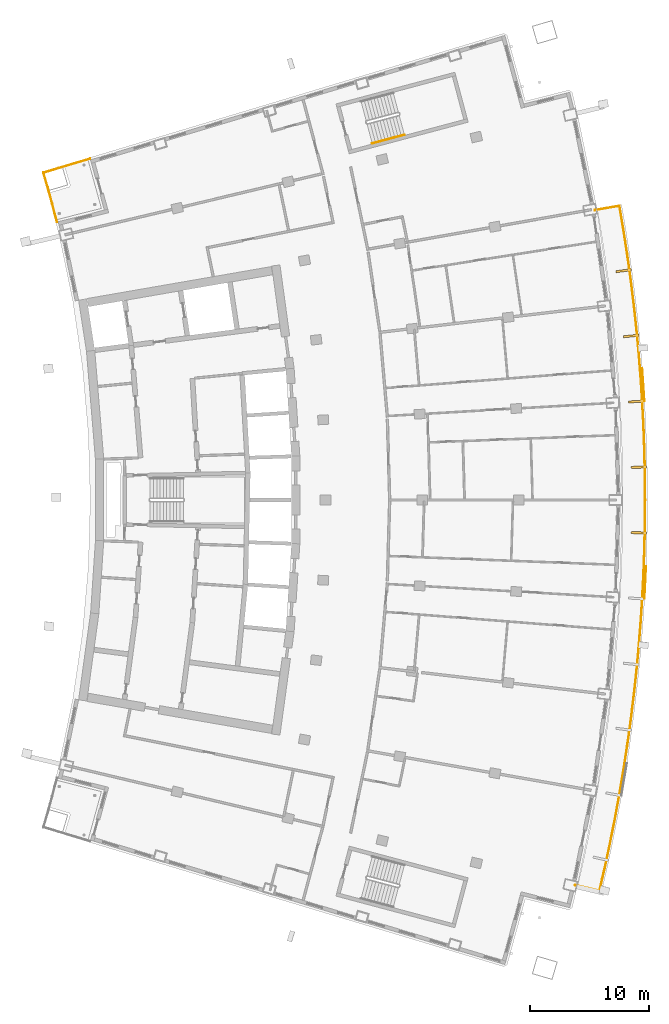
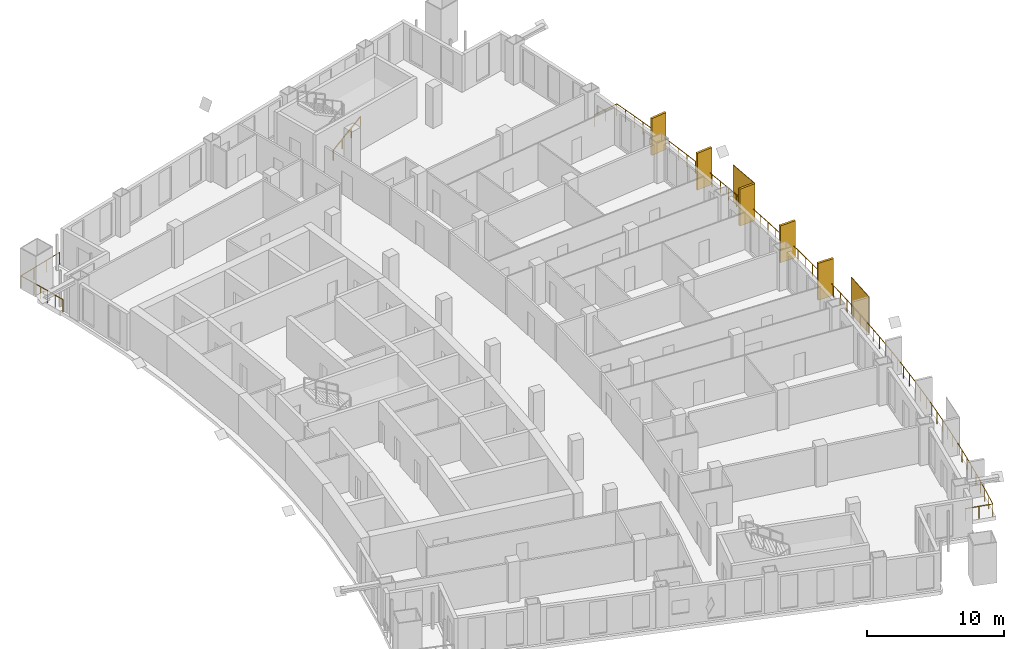
# One storey, part 20 of 21: 7 shading devices, 3 railings.
"""IFC4 building model written with IfcOpenShell, lengths in metres."""

from ifc_helpers import new_model, si_unit, direction, frame, origin, origin_2d, place, context, subcontext, project, spatial, rectangle, extrude, material, layer, layer_set, type_object, element, save


model = new_model("IFC4")

# Units and contexts
model_context = context("Model", 3, precision=1e-05, world=origin(), true_north=direction((0.0, 1.0)))
body_context = subcontext(model_context, "Body", "Model", "MODEL_VIEW")
ifc_project = project(units=[si_unit("LENGTHUNIT", "METRE"), si_unit("AREAUNIT", "SQUARE_METRE"), si_unit("VOLUMEUNIT", "CUBIC_METRE"), si_unit("PLANEANGLEUNIT", "RADIAN"), si_unit("MASSUNIT", "GRAM", prefix="KILO")], contexts=[model_context])

# Site, building, storey
site_placement = place(None, origin())
site = spatial("IfcSite", under=ifc_project, at=site_placement, CompositionType="ELEMENT")
building_placement = place(site_placement, origin())
building = spatial("IfcBuilding", under=site, at=building_placement, Name="Alderwake Tower", CompositionType="ELEMENT")
storey_placement = place(building_placement, frame((0.0, 0.0, 146.0)))
storey = spatial("IfcBuildingStorey", under=building, at=storey_placement, Name="L35", CompositionType="ELEMENT", Elevation=146.0)

# Railings
ifc_material_1 = material(Name="Stainless steel 316 rail and posts", Category="steel")
railing_type_1 = type_object("IfcRailingType", Name="Balcony guard 1100", PredefinedType="GUARDRAIL", material=ifc_material_1)
railing_1_placement = place(storey_placement, frame((56.8125, 28.586181640625, 0.0)))
element("IfcRailing", 1, at=railing_1_placement, inside=storey, type_object=railing_type_1, Name="Guard BF03", PredefinedType="GUARDRAIL", context=body_context, shape_type="SweptSolid", body=[
    extrude(rectangle(XDim=0.048095703125, YDim=0.048095703125, at=origin_2d()), frame((0.0, 0.0, 1.076171875), z_axis=(0.973043917075, -0.230619893857, 0.0), x_axis=(0.230619893857, 0.973043917075, 0.0)), (0.0, 0.0, 1.0), 2.100341796875),
    extrude(rectangle(XDim=0.048095703125, YDim=0.048095703125, at=origin_2d()), frame((2.043701171875, -0.484375, 1.076171875), z_axis=(0.223671299969, 0.97466463441, 0.0), x_axis=(-0.97466463441, 0.223671299969, 0.0)), (0.0, 0.0, 1.0), 1.981201171875),
    extrude(rectangle(XDim=0.048095703125, YDim=0.048095703125, at=origin_2d()), frame((2.48681640625, 1.446533203125, 1.076171875), z_axis=(0.209881600891, 0.977726809292, 0.0), x_axis=(-0.977726809292, 0.209881600891, 0.0)), (0.0, 0.0, 1.0), 2.0810546875),
    extrude(rectangle(XDim=0.048095703125, YDim=0.048095703125, at=origin_2d()), frame((2.923583984375, 3.481201171875, 1.076171875), z_axis=(0.195687452224, 0.98066631483, 0.0), x_axis=(-0.98066631483, 0.195687452224, 0.0)), (0.0, 0.0, 1.0), 2.0810546875),
    extrude(rectangle(XDim=0.048095703125, YDim=0.048095703125, at=origin_2d()), frame((3.330810546875, 5.52197265625, 1.076171875), z_axis=(0.18124901902, 0.983437233942, 0.0), x_axis=(-0.983437233942, 0.18124901902, 0.0)), (0.0, 0.0, 1.0), 2.0810546875),
    extrude(rectangle(XDim=0.048095703125, YDim=0.048095703125, at=origin_2d()), frame((3.7080078125, 7.568603515625, 1.076171875), z_axis=(0.166947791992, 0.985965737107, 0.0), x_axis=(-0.985965737107, 0.166947791992, 0.0)), (0.0, 0.0, 1.0), 2.0810546875),
    extrude(rectangle(XDim=0.048095703125, YDim=0.048095703125, at=origin_2d()), frame((4.055419921875, 9.620361328125, 1.076171875), z_axis=(0.15251559628, 0.988301063893, 0.0), x_axis=(-0.988301063893, 0.15251559628, 0.0)), (0.0, 0.0, 1.0), 2.0810546875),
    extrude(rectangle(XDim=0.048095703125, YDim=0.048095703125, at=origin_2d()), frame((4.372802734375, 11.677001953125, 1.076171875), z_axis=(0.13807026034, 0.990422436746, 0.0), x_axis=(-0.990422436746, 0.13807026034, 0.0)), (0.0, 0.0, 1.0), 2.081298828125),
    extrude(rectangle(XDim=0.048095703125, YDim=0.048095703125, at=origin_2d()), frame((4.66015625, 13.73828125, 1.076171875), z_axis=(0.123659289538, 0.992324735211, 0.0), x_axis=(-0.992324735211, 0.123659289538, 0.0)), (0.0, 0.0, 1.0), 2.080810546875),
    extrude(rectangle(XDim=0.048095703125, YDim=0.048095703125, at=origin_2d()), frame((4.91748046875, 15.80322265625, 1.076171875), z_axis=(0.109105169011, 0.994030211862, 0.0), x_axis=(-0.994030211862, 0.109105169011, 0.0)), (0.0, 0.0, 1.0), 2.0810546875),
    extrude(rectangle(XDim=0.048095703125, YDim=0.048095703125, at=origin_2d()), frame((5.14453125, 17.871826171875, 1.076171875), z_axis=(0.094670690051, 0.995508644084, 0.0), x_axis=(-0.995508644084, 0.094670690051, 0.0)), (0.0, 0.0, 1.0), 2.0810546875),
    extrude(rectangle(XDim=0.048095703125, YDim=0.048095703125, at=origin_2d()), frame((5.341552734375, 19.943603515625, 1.076171875), z_axis=(0.080132254725, 0.996784240321, 0.0), x_axis=(-0.996784240321, 0.080132254725, 0.0)), (0.0, 0.0, 1.0), 2.080810546875),
    extrude(rectangle(XDim=0.048095703125, YDim=0.048095703125, at=origin_2d()), frame((5.50830078125, 22.017822265625, 1.076171875), z_axis=(0.065576859199, 0.997847521186, 0.0), x_axis=(-0.997847521186, 0.065576859199, 0.0)), (0.0, 0.0, 1.0), 2.0810546875),
    extrude(rectangle(XDim=0.048095703125, YDim=0.048095703125, at=origin_2d()), frame((5.644775390625, 24.094482421875, 1.076171875), z_axis=(0.051037720387, 0.998696726288, 0.0), x_axis=(-0.998696726288, 0.051037720387, 0.0)), (0.0, 0.0, 1.0), 2.080810546875),
    extrude(rectangle(XDim=0.048095703125, YDim=0.048095703125, at=origin_2d()), frame((5.7509765625, 26.172607421875, 1.076171875), z_axis=(0.036486606972, 0.999334142072, 0.0), x_axis=(-0.999334142072, 0.036486606972, 0.0)), (0.0, 0.0, 1.0), 2.0810546875),
    extrude(rectangle(XDim=0.048095703125, YDim=0.048095703125, at=origin_2d()), frame((5.826904296875, 28.252197265625, 1.076171875), z_axis=(0.021820665756, 0.999761900927, 0.0), x_axis=(-0.999761900927, 0.021820665756, 0.0)), (0.0, 0.0, 1.0), 2.0810546875),
    extrude(rectangle(XDim=0.048095703125, YDim=0.048095703125, at=origin_2d()), frame((5.872314453125, 30.332763671875, 1.076171875), z_axis=(0.007273388082, 0.999973548563, 0.0), x_axis=(-0.999973548563, 0.007273388082, 0.0)), (0.0, 0.0, 1.0), 2.0810546875),
    extrude(rectangle(XDim=0.048095703125, YDim=0.048095703125, at=origin_2d()), frame((5.887451171875, 32.413818359375, 1.076171875), z_axis=(-0.007273388082, 0.999973548563, 0.0), x_axis=(-0.999973548563, -0.007273388082, 0.0)), (0.0, 0.0, 1.0), 2.0810546875),
    extrude(rectangle(XDim=0.048095703125, YDim=0.048095703125, at=origin_2d()), frame((5.872314453125, 34.494873046875, 1.076171875), z_axis=(-0.021820665756, 0.999761900927, 0.0), x_axis=(-0.999761900927, -0.021820665756, 0.0)), (0.0, 0.0, 1.0), 2.0810546875),
    extrude(rectangle(XDim=0.048095703125, YDim=0.048095703125, at=origin_2d()), frame((5.826904296875, 36.575439453125, 1.076171875), z_axis=(-0.036486606972, 0.999334142072, 0.0), x_axis=(-0.999334142072, -0.036486606972, 0.0)), (0.0, 0.0, 1.0), 2.0810546875),
    extrude(rectangle(XDim=0.048095703125, YDim=0.048095703125, at=origin_2d()), frame((5.7509765625, 38.655029296875, 1.076171875), z_axis=(-0.051037720387, 0.998696726288, 0.0), x_axis=(-0.998696726288, -0.051037720387, 0.0)), (0.0, 0.0, 1.0), 2.080810546875),
    extrude(rectangle(XDim=0.048095703125, YDim=0.048095703125, at=origin_2d()), frame((5.644775390625, 40.733154296875, 1.076171875), z_axis=(-0.065576859199, 0.997847521186, 0.0), x_axis=(-0.997847521186, -0.065576859199, 0.0)), (0.0, 0.0, 1.0), 2.0810546875),
    extrude(rectangle(XDim=0.048095703125, YDim=0.048095703125, at=origin_2d()), frame((5.50830078125, 42.809814453125, 1.076171875), z_axis=(-0.080132254725, 0.996784240321, 0.0), x_axis=(-0.996784240321, -0.080132254725, 0.0)), (0.0, 0.0, 1.0), 2.080810546875),
    extrude(rectangle(XDim=0.048095703125, YDim=0.048095703125, at=origin_2d()), frame((5.341552734375, 44.884033203125, 1.076171875), z_axis=(-0.094670690051, 0.995508644084, 0.0), x_axis=(-0.995508644084, -0.094670690051, 0.0)), (0.0, 0.0, 1.0), 2.0810546875),
    extrude(rectangle(XDim=0.048095703125, YDim=0.048095703125, at=origin_2d()), frame((5.14453125, 46.955810546875, 1.076171875), z_axis=(-0.109105169011, 0.994030211862, 0.0), x_axis=(-0.994030211862, -0.109105169011, 0.0)), (0.0, 0.0, 1.0), 2.0810546875),
    extrude(rectangle(XDim=0.048095703125, YDim=0.048095703125, at=origin_2d()), frame((4.91748046875, 49.0244140625, 1.076171875), z_axis=(-0.123659289538, 0.992324735211, 0.0), x_axis=(-0.992324735211, -0.123659289538, 0.0)), (0.0, 0.0, 1.0), 2.080810546875),
    extrude(rectangle(XDim=0.048095703125, YDim=0.048095703125, at=origin_2d()), frame((4.66015625, 51.08935546875, 1.076171875), z_axis=(-0.13807026034, 0.990422436746, 0.0), x_axis=(-0.990422436746, -0.13807026034, 0.0)), (0.0, 0.0, 1.0), 2.081298828125),
    extrude(rectangle(XDim=0.048095703125, YDim=0.048095703125, at=origin_2d()), frame((4.372802734375, 53.150634765625, 1.076171875), z_axis=(-0.15251559628, 0.988301063893, 0.0), x_axis=(-0.988301063893, -0.15251559628, 0.0)), (0.0, 0.0, 1.0), 2.0810546875),
    extrude(rectangle(XDim=0.048095703125, YDim=0.048095703125, at=origin_2d()), frame((4.055419921875, 55.207275390625, 1.076171875), z_axis=(-0.166616843168, 0.986021717597, 0.0), x_axis=(-0.986021717597, -0.166616843168, 0.0)), (0.0, 0.0, 1.0), 1.98095703125),
    extrude(rectangle(XDim=0.048095703125, YDim=0.048095703125, at=origin_2d()), frame((3.725341796875, 57.16064453125, 1.076171875), z_axis=(-0.984840855066, -0.173460341844, 0.0), x_axis=(0.173460341844, -0.984840855066, 0.0)), (0.0, 0.0, 1.0), 2.099853515625),
    extrude(rectangle(XDim=0.0419921875, YDim=0.0419921875, at=origin_2d()), frame((0.0, 0.0, 0.0), z_axis=(0.0, 0.0, 1.0), x_axis=(0.973043917075, -0.230619893857, 0.0)), (0.0, 0.0, 1.0), 1.052001953125),
    extrude(rectangle(XDim=0.0419921875, YDim=0.0419921875, at=origin_2d()), frame((1.02197265625, -0.2421875, 0.0), z_axis=(0.0, 0.0, 1.0), x_axis=(0.973043917075, -0.230619893857, 0.0)), (0.0, 0.0, 1.0), 1.052001953125),
    extrude(rectangle(XDim=0.0419921875, YDim=0.0419921875, at=origin_2d()), frame((2.043701171875, -0.484375, 0.0), z_axis=(0.0, 0.0, 1.0), x_axis=(0.223671299969, 0.97466463441, 0.0)), (0.0, 0.0, 1.0), 1.052001953125),
    extrude(rectangle(XDim=0.0419921875, YDim=0.0419921875, at=origin_2d()), frame((2.26513671875, 0.48095703125, 0.0), z_axis=(0.0, 0.0, 1.0), x_axis=(0.223671299969, 0.97466463441, 0.0)), (0.0, 0.0, 1.0), 1.052001953125),
    extrude(rectangle(XDim=0.0419921875, YDim=0.0419921875, at=origin_2d()), frame((2.48681640625, 1.446533203125, 0.0), z_axis=(0.0, 0.0, 1.0), x_axis=(0.209881600891, 0.977726809292, 0.0)), (0.0, 0.0, 1.0), 1.052001953125),
    extrude(rectangle(XDim=0.0419921875, YDim=0.0419921875, at=origin_2d()), frame((2.705078125, 2.4638671875, 0.0), z_axis=(0.0, 0.0, 1.0), x_axis=(0.209881600891, 0.977726809292, 0.0)), (0.0, 0.0, 1.0), 1.052001953125),
    extrude(rectangle(XDim=0.0419921875, YDim=0.0419921875, at=origin_2d()), frame((2.923583984375, 3.481201171875, 0.0), z_axis=(0.0, 0.0, 1.0), x_axis=(0.195687452224, 0.98066631483, 0.0)), (0.0, 0.0, 1.0), 1.052001953125),
    extrude(rectangle(XDim=0.0419921875, YDim=0.0419921875, at=origin_2d()), frame((3.127197265625, 4.50146484375, 0.0), z_axis=(0.0, 0.0, 1.0), x_axis=(0.195687452224, 0.98066631483, 0.0)), (0.0, 0.0, 1.0), 1.052001953125),
    extrude(rectangle(XDim=0.0419921875, YDim=0.0419921875, at=origin_2d()), frame((3.330810546875, 5.52197265625, 0.0), z_axis=(0.0, 0.0, 1.0), x_axis=(0.18124901902, 0.983437233942, 0.0)), (0.0, 0.0, 1.0), 1.052001953125),
    extrude(rectangle(XDim=0.0419921875, YDim=0.0419921875, at=origin_2d()), frame((3.51953125, 6.54541015625, 0.0), z_axis=(0.0, 0.0, 1.0), x_axis=(0.18124901902, 0.983437233942, 0.0)), (0.0, 0.0, 1.0), 1.052001953125),
    extrude(rectangle(XDim=0.0419921875, YDim=0.0419921875, at=origin_2d()), frame((3.7080078125, 7.568603515625, 0.0), z_axis=(0.0, 0.0, 1.0), x_axis=(0.166947791992, 0.985965737107, 0.0)), (0.0, 0.0, 1.0), 1.052001953125),
    extrude(rectangle(XDim=0.0419921875, YDim=0.0419921875, at=origin_2d()), frame((3.8818359375, 8.594482421875, 0.0), z_axis=(0.0, 0.0, 1.0), x_axis=(0.166947791992, 0.985965737107, 0.0)), (0.0, 0.0, 1.0), 1.052001953125),
    extrude(rectangle(XDim=0.0419921875, YDim=0.0419921875, at=origin_2d()), frame((4.055419921875, 9.620361328125, 0.0), z_axis=(0.0, 0.0, 1.0), x_axis=(0.15251559628, 0.988301063893, 0.0)), (0.0, 0.0, 1.0), 1.052001953125),
    extrude(rectangle(XDim=0.0419921875, YDim=0.0419921875, at=origin_2d()), frame((4.214111328125, 10.648681640625, 0.0), z_axis=(0.0, 0.0, 1.0), x_axis=(0.15251559628, 0.988301063893, 0.0)), (0.0, 0.0, 1.0), 1.052001953125),
    extrude(rectangle(XDim=0.0419921875, YDim=0.0419921875, at=origin_2d()), frame((4.372802734375, 11.677001953125, 0.0), z_axis=(0.0, 0.0, 1.0), x_axis=(0.13807026034, 0.990422436746, 0.0)), (0.0, 0.0, 1.0), 1.052001953125),
    extrude(rectangle(XDim=0.0419921875, YDim=0.0419921875, at=origin_2d()), frame((4.5166015625, 12.70751953125, 0.0), z_axis=(0.0, 0.0, 1.0), x_axis=(0.13807026034, 0.990422436746, 0.0)), (0.0, 0.0, 1.0), 1.052001953125),
    extrude(rectangle(XDim=0.0419921875, YDim=0.0419921875, at=origin_2d()), frame((4.66015625, 13.73828125, 0.0), z_axis=(0.0, 0.0, 1.0), x_axis=(0.123659289538, 0.992324735211, 0.0)), (0.0, 0.0, 1.0), 1.052001953125),
    extrude(rectangle(XDim=0.0419921875, YDim=0.0419921875, at=origin_2d()), frame((4.788818359375, 14.770751953125, 0.0), z_axis=(0.0, 0.0, 1.0), x_axis=(0.123659289538, 0.992324735211, 0.0)), (0.0, 0.0, 1.0), 1.052001953125),
    extrude(rectangle(XDim=0.0419921875, YDim=0.0419921875, at=origin_2d()), frame((4.91748046875, 15.80322265625, 0.0), z_axis=(0.0, 0.0, 1.0), x_axis=(0.109105169011, 0.994030211862, 0.0)), (0.0, 0.0, 1.0), 1.052001953125),
    extrude(rectangle(XDim=0.0419921875, YDim=0.0419921875, at=origin_2d()), frame((5.031005859375, 16.83740234375, 0.0), z_axis=(0.0, 0.0, 1.0), x_axis=(0.109105169011, 0.994030211862, 0.0)), (0.0, 0.0, 1.0), 1.052001953125),
    extrude(rectangle(XDim=0.0419921875, YDim=0.0419921875, at=origin_2d()), frame((5.14453125, 17.871826171875, 0.0), z_axis=(0.0, 0.0, 1.0), x_axis=(0.094670690051, 0.995508644084, 0.0)), (0.0, 0.0, 1.0), 1.052001953125),
    extrude(rectangle(XDim=0.0419921875, YDim=0.0419921875, at=origin_2d()), frame((5.2431640625, 18.90771484375, 0.0), z_axis=(0.0, 0.0, 1.0), x_axis=(0.094670690051, 0.995508644084, 0.0)), (0.0, 0.0, 1.0), 1.052001953125),
    extrude(rectangle(XDim=0.0419921875, YDim=0.0419921875, at=origin_2d()), frame((5.341552734375, 19.943603515625, 0.0), z_axis=(0.0, 0.0, 1.0), x_axis=(0.080132254725, 0.996784240321, 0.0)), (0.0, 0.0, 1.0), 1.052001953125),
    extrude(rectangle(XDim=0.0419921875, YDim=0.0419921875, at=origin_2d()), frame((5.4248046875, 20.980712890625, 0.0), z_axis=(0.0, 0.0, 1.0), x_axis=(0.080132254725, 0.996784240321, 0.0)), (0.0, 0.0, 1.0), 1.052001953125),
    extrude(rectangle(XDim=0.0419921875, YDim=0.0419921875, at=origin_2d()), frame((5.50830078125, 22.017822265625, 0.0), z_axis=(0.0, 0.0, 1.0), x_axis=(0.065576859199, 0.997847521186, 0.0)), (0.0, 0.0, 1.0), 1.052001953125),
    extrude(rectangle(XDim=0.0419921875, YDim=0.0419921875, at=origin_2d()), frame((5.57666015625, 23.05615234375, 0.0), z_axis=(0.0, 0.0, 1.0), x_axis=(0.065576859199, 0.997847521186, 0.0)), (0.0, 0.0, 1.0), 1.052001953125),
    extrude(rectangle(XDim=0.0419921875, YDim=0.0419921875, at=origin_2d()), frame((5.644775390625, 24.094482421875, 0.0), z_axis=(0.0, 0.0, 1.0), x_axis=(0.051037720387, 0.998696726288, 0.0)), (0.0, 0.0, 1.0), 1.052001953125),
    extrude(rectangle(XDim=0.0419921875, YDim=0.0419921875, at=origin_2d()), frame((5.69775390625, 25.133544921875, 0.0), z_axis=(0.0, 0.0, 1.0), x_axis=(0.051037720387, 0.998696726288, 0.0)), (0.0, 0.0, 1.0), 1.052001953125),
    extrude(rectangle(XDim=0.0419921875, YDim=0.0419921875, at=origin_2d()), frame((5.7509765625, 26.172607421875, 0.0), z_axis=(0.0, 0.0, 1.0), x_axis=(0.036486606972, 0.999334142072, 0.0)), (0.0, 0.0, 1.0), 1.052001953125),
    extrude(rectangle(XDim=0.0419921875, YDim=0.0419921875, at=origin_2d()), frame((5.7890625, 27.21240234375, 0.0), z_axis=(0.0, 0.0, 1.0), x_axis=(0.036486606972, 0.999334142072, 0.0)), (0.0, 0.0, 1.0), 1.052001953125),
    extrude(rectangle(XDim=0.0419921875, YDim=0.0419921875, at=origin_2d()), frame((5.826904296875, 28.252197265625, 0.0), z_axis=(0.0, 0.0, 1.0), x_axis=(0.021820665756, 0.999761900927, 0.0)), (0.0, 0.0, 1.0), 1.052001953125),
    extrude(rectangle(XDim=0.0419921875, YDim=0.0419921875, at=origin_2d()), frame((5.849609375, 29.29248046875, 0.0), z_axis=(0.0, 0.0, 1.0), x_axis=(0.021820665756, 0.999761900927, 0.0)), (0.0, 0.0, 1.0), 1.052001953125),
    extrude(rectangle(XDim=0.0419921875, YDim=0.0419921875, at=origin_2d()), frame((5.872314453125, 30.332763671875, 0.0), z_axis=(0.0, 0.0, 1.0), x_axis=(0.007273388082, 0.999973548563, 0.0)), (0.0, 0.0, 1.0), 1.052001953125),
    extrude(rectangle(XDim=0.0419921875, YDim=0.0419921875, at=origin_2d()), frame((5.8798828125, 31.373291015625, 0.0), z_axis=(0.0, 0.0, 1.0), x_axis=(0.007273388082, 0.999973548563, 0.0)), (0.0, 0.0, 1.0), 1.052001953125),
    extrude(rectangle(XDim=0.0419921875, YDim=0.0419921875, at=origin_2d()), frame((5.887451171875, 32.413818359375, 0.0), z_axis=(0.0, 0.0, 1.0), x_axis=(-0.007273388082, 0.999973548563, 0.0)), (0.0, 0.0, 1.0), 1.052001953125),
    extrude(rectangle(XDim=0.0419921875, YDim=0.0419921875, at=origin_2d()), frame((5.8798828125, 33.454345703125, 0.0), z_axis=(0.0, 0.0, 1.0), x_axis=(-0.007273388082, 0.999973548563, 0.0)), (0.0, 0.0, 1.0), 1.052001953125),
    extrude(rectangle(XDim=0.0419921875, YDim=0.0419921875, at=origin_2d()), frame((5.872314453125, 34.494873046875, 0.0), z_axis=(0.0, 0.0, 1.0), x_axis=(-0.021820665756, 0.999761900927, 0.0)), (0.0, 0.0, 1.0), 1.052001953125),
    extrude(rectangle(XDim=0.0419921875, YDim=0.0419921875, at=origin_2d()), frame((5.849609375, 35.53515625, 0.0), z_axis=(0.0, 0.0, 1.0), x_axis=(-0.021820665756, 0.999761900927, 0.0)), (0.0, 0.0, 1.0), 1.052001953125),
    extrude(rectangle(XDim=0.0419921875, YDim=0.0419921875, at=origin_2d()), frame((5.826904296875, 36.575439453125, 0.0), z_axis=(0.0, 0.0, 1.0), x_axis=(-0.036486606972, 0.999334142072, 0.0)), (0.0, 0.0, 1.0), 1.052001953125),
    extrude(rectangle(XDim=0.0419921875, YDim=0.0419921875, at=origin_2d()), frame((5.7890625, 37.615234375, 0.0), z_axis=(0.0, 0.0, 1.0), x_axis=(-0.036486606972, 0.999334142072, 0.0)), (0.0, 0.0, 1.0), 1.052001953125),
    extrude(rectangle(XDim=0.0419921875, YDim=0.0419921875, at=origin_2d()), frame((5.7509765625, 38.655029296875, 0.0), z_axis=(0.0, 0.0, 1.0), x_axis=(-0.051037720387, 0.998696726288, 0.0)), (0.0, 0.0, 1.0), 1.052001953125),
    extrude(rectangle(XDim=0.0419921875, YDim=0.0419921875, at=origin_2d()), frame((5.69775390625, 39.694091796875, 0.0), z_axis=(0.0, 0.0, 1.0), x_axis=(-0.051037720387, 0.998696726288, 0.0)), (0.0, 0.0, 1.0), 1.052001953125),
    extrude(rectangle(XDim=0.0419921875, YDim=0.0419921875, at=origin_2d()), frame((5.644775390625, 40.733154296875, 0.0), z_axis=(0.0, 0.0, 1.0), x_axis=(-0.065576859199, 0.997847521186, 0.0)), (0.0, 0.0, 1.0), 1.052001953125),
    extrude(rectangle(XDim=0.0419921875, YDim=0.0419921875, at=origin_2d()), frame((5.57666015625, 41.771484375, 0.0), z_axis=(0.0, 0.0, 1.0), x_axis=(-0.065576859199, 0.997847521186, 0.0)), (0.0, 0.0, 1.0), 1.052001953125),
    extrude(rectangle(XDim=0.0419921875, YDim=0.0419921875, at=origin_2d()), frame((5.50830078125, 42.809814453125, 0.0), z_axis=(0.0, 0.0, 1.0), x_axis=(-0.080132254725, 0.996784240321, 0.0)), (0.0, 0.0, 1.0), 1.052001953125),
    extrude(rectangle(XDim=0.0419921875, YDim=0.0419921875, at=origin_2d()), frame((5.4248046875, 43.846923828125, 0.0), z_axis=(0.0, 0.0, 1.0), x_axis=(-0.080132254725, 0.996784240321, 0.0)), (0.0, 0.0, 1.0), 1.052001953125),
    extrude(rectangle(XDim=0.0419921875, YDim=0.0419921875, at=origin_2d()), frame((5.341552734375, 44.884033203125, 0.0), z_axis=(0.0, 0.0, 1.0), x_axis=(-0.094670690051, 0.995508644084, 0.0)), (0.0, 0.0, 1.0), 1.052001953125),
    extrude(rectangle(XDim=0.0419921875, YDim=0.0419921875, at=origin_2d()), frame((5.2431640625, 45.919921875, 0.0), z_axis=(0.0, 0.0, 1.0), x_axis=(-0.094670690051, 0.995508644084, 0.0)), (0.0, 0.0, 1.0), 1.052001953125),
    extrude(rectangle(XDim=0.0419921875, YDim=0.0419921875, at=origin_2d()), frame((5.14453125, 46.955810546875, 0.0), z_axis=(0.0, 0.0, 1.0), x_axis=(-0.109105169011, 0.994030211862, 0.0)), (0.0, 0.0, 1.0), 1.052001953125),
    extrude(rectangle(XDim=0.0419921875, YDim=0.0419921875, at=origin_2d()), frame((5.031005859375, 47.990234375, 0.0), z_axis=(0.0, 0.0, 1.0), x_axis=(-0.109105169011, 0.994030211862, 0.0)), (0.0, 0.0, 1.0), 1.052001953125),
    extrude(rectangle(XDim=0.0419921875, YDim=0.0419921875, at=origin_2d()), frame((4.91748046875, 49.0244140625, 0.0), z_axis=(0.0, 0.0, 1.0), x_axis=(-0.123659289538, 0.992324735211, 0.0)), (0.0, 0.0, 1.0), 1.052001953125),
    extrude(rectangle(XDim=0.0419921875, YDim=0.0419921875, at=origin_2d()), frame((4.788818359375, 50.056884765625, 0.0), z_axis=(0.0, 0.0, 1.0), x_axis=(-0.123659289538, 0.992324735211, 0.0)), (0.0, 0.0, 1.0), 1.052001953125),
    extrude(rectangle(XDim=0.0419921875, YDim=0.0419921875, at=origin_2d()), frame((4.66015625, 51.08935546875, 0.0), z_axis=(0.0, 0.0, 1.0), x_axis=(-0.13807026034, 0.990422436746, 0.0)), (0.0, 0.0, 1.0), 1.052001953125),
    extrude(rectangle(XDim=0.0419921875, YDim=0.0419921875, at=origin_2d()), frame((4.5166015625, 52.1201171875, 0.0), z_axis=(0.0, 0.0, 1.0), x_axis=(-0.13807026034, 0.990422436746, 0.0)), (0.0, 0.0, 1.0), 1.052001953125),
    extrude(rectangle(XDim=0.0419921875, YDim=0.0419921875, at=origin_2d()), frame((4.372802734375, 53.150634765625, 0.0), z_axis=(0.0, 0.0, 1.0), x_axis=(-0.15251559628, 0.988301063893, 0.0)), (0.0, 0.0, 1.0), 1.052001953125),
    extrude(rectangle(XDim=0.0419921875, YDim=0.0419921875, at=origin_2d()), frame((4.214111328125, 54.178955078125, 0.0), z_axis=(0.0, 0.0, 1.0), x_axis=(-0.15251559628, 0.988301063893, 0.0)), (0.0, 0.0, 1.0), 1.052001953125),
    extrude(rectangle(XDim=0.0419921875, YDim=0.0419921875, at=origin_2d()), frame((4.055419921875, 55.207275390625, 0.0), z_axis=(0.0, 0.0, 1.0), x_axis=(-0.166616843168, 0.986021717597, 0.0)), (0.0, 0.0, 1.0), 1.052001953125),
    extrude(rectangle(XDim=0.0419921875, YDim=0.0419921875, at=origin_2d()), frame((3.890380859375, 56.18408203125, 0.0), z_axis=(0.0, 0.0, 1.0), x_axis=(-0.166616843168, 0.986021717597, 0.0)), (0.0, 0.0, 1.0), 1.052001953125),
    extrude(rectangle(XDim=0.0419921875, YDim=0.0419921875, at=origin_2d()), frame((3.725341796875, 57.16064453125, 0.0), z_axis=(0.0, 0.0, 1.0), x_axis=(-0.984840855066, -0.173460341844, 0.0)), (0.0, 0.0, 1.0), 1.052001953125),
    extrude(rectangle(XDim=0.0419921875, YDim=0.0419921875, at=origin_2d()), frame((2.69140625, 56.978515625, 0.0), z_axis=(0.0, 0.0, 1.0), x_axis=(-0.984840855066, -0.173460341844, 0.0)), (0.0, 0.0, 1.0), 1.052001953125),
    extrude(rectangle(XDim=0.0419921875, YDim=0.0419921875, at=origin_2d()), frame((1.6572265625, 56.79638671875, 0.0), z_axis=(0.0, 0.0, 1.0), x_axis=(-0.984840855066, -0.173460341844, 0.0)), (0.0, 0.0, 1.0), 1.052001953125),
])
railing_2_placement = place(storey_placement, frame((13.210693359375, 84.387451171875, 0.0)))
element("IfcRailing", 2, at=railing_2_placement, inside=storey, type_object=railing_type_1, Name="Guard terrace RN", PredefinedType="GUARDRAIL", context=body_context, shape_type="SweptSolid", body=[
    extrude(rectangle(XDim=0.048095703125, YDim=0.048095703125, at=origin_2d()), frame((0.0, 0.0, 1.076171875), z_axis=(-0.251385381433, 0.967887075026, 0.0), x_axis=(-0.967887075026, -0.251385381433, 0.0)), (0.0, 0.0, 1.0), 1.6015625),
    extrude(rectangle(XDim=0.048095703125, YDim=0.048095703125, at=origin_2d()), frame((-0.402587890625, 1.550048828125, 1.076171875), z_axis=(-0.266520638672, 0.963829211615, 0.0), x_axis=(-0.963829211615, -0.266520638672, 0.0)), (0.0, 0.0, 1.0), 1.401611328125),
    extrude(rectangle(XDim=0.048095703125, YDim=0.048095703125, at=origin_2d()), frame((-0.776123046875, 2.90087890625, 1.076171875), z_axis=(-0.280093650878, 0.959972680204, 0.0), x_axis=(-0.959972680204, -0.280093650878, 0.0)), (0.0, 0.0, 1.0), 1.30126953125),
    extrude(rectangle(XDim=0.048095703125, YDim=0.048095703125, at=origin_2d()), frame((-1.140625, 4.150146484375, 1.076171875), z_axis=(0.958066871889, 0.286544706789, 0.0), x_axis=(-0.286544706789, 0.958066871889, 0.0)), (0.0, 0.0, 1.0), 4.099853515625),
    extrude(rectangle(XDim=0.0419921875, YDim=0.0419921875, at=origin_2d()), frame((0.0, 0.0, 0.0), z_axis=(0.0, 0.0, 1.0), x_axis=(-0.251385381433, 0.967887075026, 0.0)), (0.0, 0.0, 1.0), 1.052001953125),
    extrude(rectangle(XDim=0.0419921875, YDim=0.0419921875, at=origin_2d()), frame((-0.201171875, 0.77490234375, 0.0), z_axis=(0.0, 0.0, 1.0), x_axis=(-0.251385381433, 0.967887075026, 0.0)), (0.0, 0.0, 1.0), 1.052001953125),
    extrude(rectangle(XDim=0.0419921875, YDim=0.0419921875, at=origin_2d()), frame((-0.402587890625, 1.550048828125, 0.0), z_axis=(0.0, 0.0, 1.0), x_axis=(-0.266520638672, 0.963829211615, 0.0)), (0.0, 0.0, 1.0), 1.052001953125),
    extrude(rectangle(XDim=0.0419921875, YDim=0.0419921875, at=origin_2d()), frame((-0.58935546875, 2.2255859375, 0.0), z_axis=(0.0, 0.0, 1.0), x_axis=(-0.266520638672, 0.963829211615, 0.0)), (0.0, 0.0, 1.0), 1.052001953125),
    extrude(rectangle(XDim=0.0419921875, YDim=0.0419921875, at=origin_2d()), frame((-0.776123046875, 2.90087890625, 0.0), z_axis=(0.0, 0.0, 1.0), x_axis=(-0.280093650878, 0.959972680204, 0.0)), (0.0, 0.0, 1.0), 1.052001953125),
    extrude(rectangle(XDim=0.0419921875, YDim=0.0419921875, at=origin_2d()), frame((-1.140625, 4.150146484375, 0.0), z_axis=(0.0, 0.0, 1.0), x_axis=(0.958066871889, 0.286544706789, 0.0)), (0.0, 0.0, 1.0), 1.052001953125),
    extrude(rectangle(XDim=0.0419921875, YDim=0.0419921875, at=origin_2d()), frame((0.168701171875, 4.541748046875, 0.0), z_axis=(0.0, 0.0, 1.0), x_axis=(0.958066871889, 0.286544706789, 0.0)), (0.0, 0.0, 1.0), 1.052001953125),
    extrude(rectangle(XDim=0.0419921875, YDim=0.0419921875, at=origin_2d()), frame((1.47802734375, 4.933349609375, 0.0), z_axis=(0.0, 0.0, 1.0), x_axis=(0.958066871889, 0.286544706789, 0.0)), (0.0, 0.0, 1.0), 1.052001953125),
    extrude(rectangle(XDim=0.0419921875, YDim=0.0419921875, at=origin_2d()), frame((2.787353515625, 5.324951171875, 0.0), z_axis=(0.0, 0.0, 1.0), x_axis=(0.958066871889, 0.286544706789, 0.0)), (0.0, 0.0, 1.0), 1.052001953125),
])

# Shading devices
ifc_material_2 = material(Name="Bronze anodised aluminium", Category="aluminium")
ifc_layer_1 = layer(ifc_material_2, 0.179931640625)
ifc_layer_set_1 = layer_set([ifc_layer_1], Name="Facade fin 1300")
shading_device_type_1 = type_object("IfcShadingDeviceType", Name="Facade fin 1300", PredefinedType="USERDEFINED", material=ifc_layer_set_1)
for number, where, z_axis, x_axis, name in (
    (3, (62.173095703125, 58.241455078125, 0.0), (0.0, 0.0, 1.0), (0.999811838809, -0.019398117887, 0.0), "Fin"),
    (4, (62.173095703125, 63.758544921875, 0.0), (0.0, 0.0, 1.0), (0.999811838809, 0.019398117887, 0.0), "Fin"),
    (5, (61.95849609375, 69.28564453125, 0.0), (0.0, 0.0, 1.0), (0.998301080988, 0.058266214038, 0.0), "Fin"),
    (6, (61.52880859375, 74.800048828125, 0.0), (0.0, 0.0, 1.0), (0.995279882363, 0.097046152751, 0.0), "Fin"),
    (7, (60.885009765625, 80.293701171875, 0.0), (0.0, 0.0, 1.0), (0.990752577235, 0.135680988728, 0.0), "Fin"),
):
    element("IfcShadingDevice", number, at=place(storey_placement, frame(where, z_axis=z_axis, x_axis=x_axis)), inside=storey, type_object=shading_device_type_1, Name=name, ObjectType="FIN", PredefinedType="USERDEFINED", context=body_context, shape_type="SweptSolid", body=[
        extrude(rectangle(XDim=1.300048828125, YDim=0.179931640625, at=origin_2d()), origin(), (0.0, 0.0, 1.0), 3.280029296875),
    ])
ifc_material_3 = material(Name="Perforated bronze anodised aluminium", Category="aluminium")
ifc_layer_2 = layer(ifc_material_3, 0.050048828125)
ifc_layer_set_2 = layer_set([ifc_layer_2], Name="Perforated screen panel")
shading_device_type_2 = type_object("IfcShadingDeviceType", Name="Perforated screen panel", PredefinedType="USERDEFINED", material=ifc_layer_set_2)
shading_device_1_placement = place(storey_placement, frame((62.69970703125, 54.059326171875, 0.0), z_axis=(0.0, 0.0, 1.0), x_axis=(0.998819231138, -0.048581308217, 0.0)))
element("IfcShadingDevice", 8, at=shading_device_1_placement, inside=storey, type_object=shading_device_type_2, Name="Screen panel", ObjectType="SCREEN", PredefinedType="USERDEFINED", context=body_context, shape_type="SweptSolid", body=[
    extrude(rectangle(XDim=0.050048828125, YDim=2.771728515625, at=origin_2d()), origin(), (0.0, 0.0, 1.0), 3.280029296875),
])
shading_device_2_placement = place(storey_placement, frame((62.53759765625, 70.714599609375, 0.0), z_axis=(0.0, 0.0, 1.0), x_axis=(0.997685465774, 0.067997877779, 0.0)))
element("IfcShadingDevice", 9, at=shading_device_2_placement, inside=storey, type_object=shading_device_type_2, Name="Screen panel", ObjectType="SCREEN", PredefinedType="USERDEFINED", context=body_context, shape_type="SweptSolid", body=[
    extrude(rectangle(XDim=0.050048828125, YDim=2.785888671875, at=origin_2d()), origin(), (0.0, 0.0, 1.0), 3.280029296875),
])

# Railing
ifc_material_4 = material(Name="Stainless steel handrail", Category="steel")
railing_type_2 = type_object("IfcRailingType", Name="Stair handrail 900", PredefinedType="HANDRAIL", material=ifc_material_4)
railing_3_placement = place(storey_placement, frame((39.731689453125, 91.002685546875, 0.16357421875)))
element("IfcRailing", 10, at=railing_3_placement, inside=storey, type_object=railing_type_2, Name="L35 ST-A stair handrail 1", PredefinedType="HANDRAIL", context=body_context, shape_type="SweptSolid", body=[
    extrude(rectangle(XDim=0.048095703125, YDim=0.048095703125, at=origin_2d()), frame((0.0, 0.0, 0.8759765625), z_axis=(0.834258940753, 0.22222815314, 0.504605457487), x_axis=(-0.257402139082, 0.966304371715, 0.0)), (0.0, 0.0, 1.0), 3.2431640625),
    extrude(rectangle(XDim=0.0419921875, YDim=0.0419921875, at=origin_2d()), frame((0.0, 0.0, 0.0), z_axis=(0.0, 0.0, 1.0), x_axis=(0.966304371715, 0.257402139082, 0.0)), (0.0, 0.0, 1.0), 0.851806640625),
    extrude(rectangle(XDim=0.0419921875, YDim=0.0419921875, at=origin_2d()), frame((0.90185546875, 0.240234375, 0.54541015625), z_axis=(0.0, 0.0, 1.0), x_axis=(0.966304371715, 0.257402139082, 0.0)), (0.0, 0.0, 1.0), 0.851806640625),
    extrude(rectangle(XDim=0.0419921875, YDim=0.0419921875, at=origin_2d()), frame((1.8037109375, 0.48046875, 1.091064453125), z_axis=(0.0, 0.0, 1.0), x_axis=(0.966304371715, 0.257402139082, 0.0)), (0.0, 0.0, 1.0), 0.851806640625),
    extrude(rectangle(XDim=0.0419921875, YDim=0.0419921875, at=origin_2d()), frame((2.70556640625, 0.720703125, 1.636474609375), z_axis=(0.0, 0.0, 1.0), x_axis=(0.966304371715, 0.257402139082, 0.0)), (0.0, 0.0, 1.0), 0.851806640625),
])

save(model, "model.ifc")
